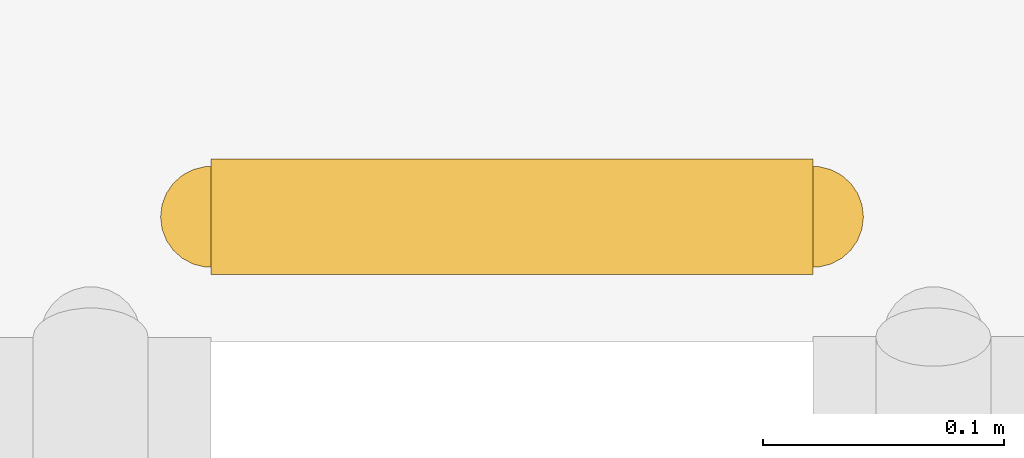
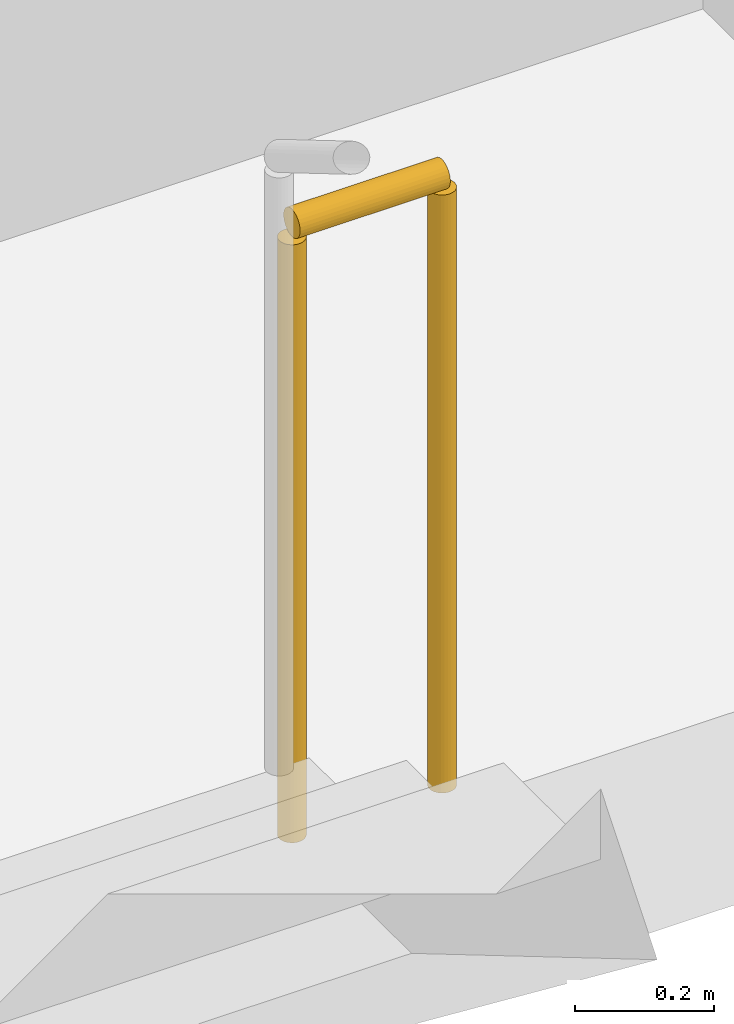
# One storey, part 32 of 39: 1 railing.
"""IFC4 building model written with IfcOpenShell, lengths in metres."""

from ifc_helpers import new_model, si_unit, direction, frame, origin, origin_2d, place, context, subcontext, project, spatial, circle, extrude, material, type_object, element, save


model = new_model("IFC4")

# Units and contexts
model_context = context("Model", 3, precision=1e-05, world=origin(), true_north=direction((0.0, 1.0)))
body_context = subcontext(model_context, "Body", "Model", "MODEL_VIEW")
ifc_project = project(units=[si_unit("LENGTHUNIT", "METRE"), si_unit("AREAUNIT", "SQUARE_METRE"), si_unit("VOLUMEUNIT", "CUBIC_METRE"), si_unit("PLANEANGLEUNIT", "RADIAN"), si_unit("MASSUNIT", "GRAM", prefix="KILO")], contexts=[model_context])

# Site, building, storey
site_placement = place(None, origin())
site = spatial("IfcSite", under=ifc_project, at=site_placement, CompositionType="ELEMENT")
building_placement = place(site_placement, origin())
building = spatial("IfcBuilding", under=site, at=building_placement, Name="Mahtab Terrace Research Tower", CompositionType="ELEMENT")
storey_placement = place(building_placement, frame((0.0, 0.0, 7.199951171875)))
storey = spatial("IfcBuildingStorey", under=building, at=storey_placement, Name="L01", CompositionType="ELEMENT", Elevation=7.199951171875)

# Railing
ifc_material = material(Name="Stainless steel AISI 304", Category="steel")
railing_type = type_object("IfcRailingType", Name="Stair guard 1100", PredefinedType="GUARDRAIL", material=ifc_material)
railing_placement = place(storey_placement, frame((3.0, -4.125, 0.0)))
element("IfcRailing", 1, at=railing_placement, inside=storey, type_object=railing_type, Name="L01 ST2 stair guard 4", PredefinedType="GUARDRAIL", context=body_context, shape_type="SweptSolid", body=[
    extrude(circle(Radius=0.02392578125, at=origin_2d()), frame((0.0, 0.0, 1.076171875), z_axis=(1.0, 0.0, 0.0), x_axis=(0.0, 1.0, 0.0)), (0.0, 0.0, 1.0), 0.25),
    extrude(circle(Radius=0.02099609375, at=origin_2d()), origin(), (0.0, 0.0, 1.0), 1.052001953125),
    extrude(circle(Radius=0.02099609375, at=origin_2d()), frame((0.25, 0.0, 0.0)), (0.0, 0.0, 1.0), 1.052001953125),
])

save(model, "model.ifc")
